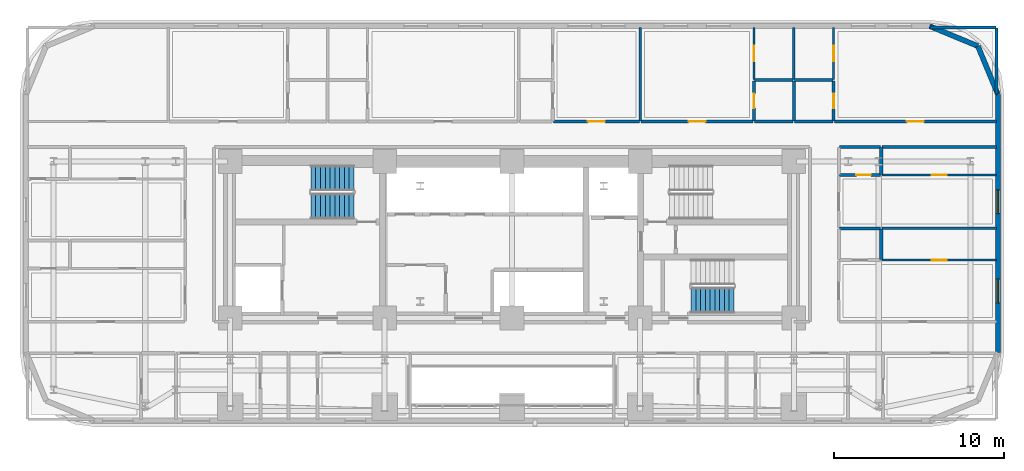
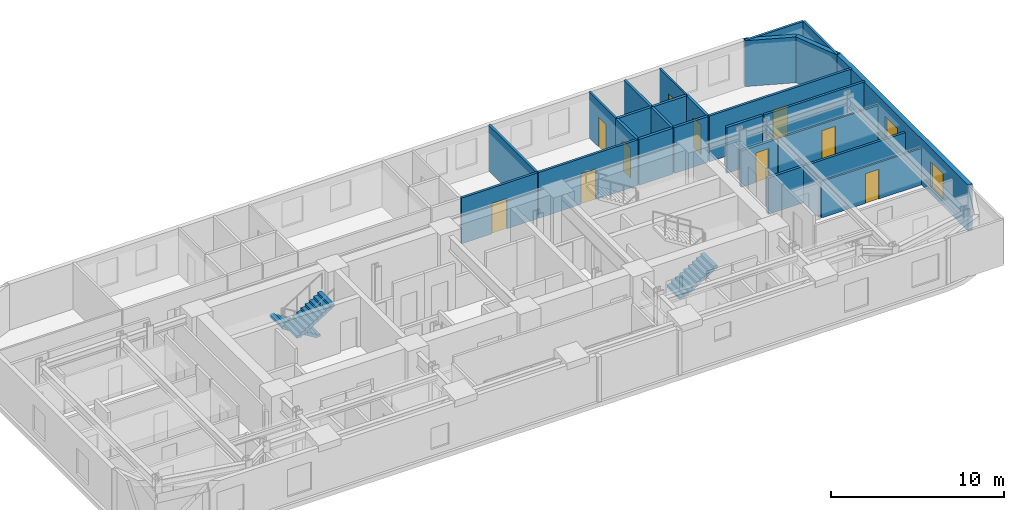
# One storey, part 11 of 16: 28 walls, 10 doors, 3 stair flights, 2 windows, 12 openings, 2 elements without a shape of their own.
"""IFC4 building model written with IfcOpenShell, lengths in metres."""

from ifc_helpers import new_model, si_unit, direction, frame, frame_2d, origin, place, context, subcontext, project, spatial, polyline, rectangle, outline, extrude, material, layer, layer_set, type_object, element, fill, aggregate, save


model = new_model("IFC4")

# Units and contexts
model_context = context("Model", 3, precision=1e-05, world=origin(), true_north=direction((0.0, 1.0)))
body_context = subcontext(model_context, "Body", "Model", "MODEL_VIEW")
ifc_project = project(units=[si_unit("LENGTHUNIT", "METRE"), si_unit("AREAUNIT", "SQUARE_METRE"), si_unit("VOLUMEUNIT", "CUBIC_METRE"), si_unit("PLANEANGLEUNIT", "RADIAN"), si_unit("MASSUNIT", "GRAM", prefix="KILO")], contexts=[model_context])

# Site, building, storey
site_placement = place(None, origin())
site = spatial("IfcSite", under=ifc_project, at=site_placement, CompositionType="ELEMENT")
building_placement = place(site_placement, origin())
building = spatial("IfcBuilding", under=site, at=building_placement, Name="Zarnavel Station Tower", CompositionType="ELEMENT")
storey_placement = place(building_placement, frame((0.0, 0.0, 39.5)))
storey = spatial("IfcBuildingStorey", under=building, at=storey_placement, Name="L10", CompositionType="ELEMENT", Elevation=39.5)

# Wall, openings, windows
ifc_material_1 = material(Name="Precast concrete C45/55 (Dark Basalt Finish)", Category="masonry")
ifc_layer_1 = layer(ifc_material_1, 0.300048828125)
ifc_layer_set_1 = layer_set([ifc_layer_1], Name="EW_BASALT_300")
wall_type_1 = type_object("IfcWallType", Name="EW_BASALT_300", PredefinedType="SOLIDWALL", material=ifc_layer_set_1)
wall_1_placement = place(storey_placement, frame((57.419921875, 41.0, 0.0), z_axis=(0.0, 0.0, 1.0), x_axis=(0.0, -1.0, 0.0)))
wall_1 = element("IfcWall", 1, at=wall_1_placement, inside=storey, type_object=wall_type_1, Name="L10 Exterior Basalt Masonry Frame Wall 03", PredefinedType="SOLIDWALL", context=body_context, shape_type="SweptSolid", body=[
    extrude(rectangle(XDim=15.199951171875, YDim=0.300048828125, at=frame_2d((7.60009765625, 0.0))), origin(), (0.0, 0.0, 1.0), 3.239990234375),
])
opening_1_placement = place(wall_1_placement, frame((10.882080078125, 0.0, 0.47998046875)))
opening_1 = element("IfcOpeningElement", 2, at=opening_1_placement, cuts=wall_1, Name="Opening WN01", PredefinedType="OPENING", context=body_context, shape_type="SweptSolid", body=[
    extrude(rectangle(XDim=1.39990234375, YDim=1.800048828125, at=frame_2d((0.699951171875, 0.89990234375))), frame((0.0, 0.159912109375, 0.0), z_axis=(0.0, -1.0, 0.0), x_axis=(1.0, 0.0, 0.0)), (0.0, 0.0, 1.0), 0.320068359375),
])
opening_2_placement = place(wall_1_placement, frame((5.62060546875, 0.0, 0.47998046875)))
opening_2 = element("IfcOpeningElement", 3, at=opening_2_placement, cuts=wall_1, Name="Opening WN01", PredefinedType="OPENING", context=body_context, shape_type="SweptSolid", body=[
    extrude(rectangle(XDim=1.39990234375, YDim=1.800048828125, at=frame_2d((0.699951171875, 0.89990234375))), frame((0.0, 0.159912109375, 0.0), z_axis=(0.0, -1.0, 0.0), x_axis=(1.0, 0.0, 0.0)), (0.0, 0.0, 1.0), 0.320068359375),
])
ifc_material_2 = material(Name="Thermally Broken Black Aluminium and Low-E Dark Glass", Category="aluminium")
window_type = type_object("IfcWindowType", Name="WN_1400x1800", PartitioningType="DOUBLE_PANEL_VERTICAL", PredefinedType="WINDOW", material=ifc_material_2)
window_1_placement = place(opening_1_placement, origin())
window_1 = element("IfcWindow", 4, at=window_1_placement, inside=storey, type_object=window_type, Name="L10 Recessed Facade Window 01", OverallHeight=1.800048828125, OverallWidth=1.39990234375, PartitioningType="SINGLE_PANEL", PredefinedType="WINDOW", context=body_context, shape_type="SweptSolid", body=[
    extrude(rectangle(XDim=1.39990234375, YDim=1.800048828125, at=frame_2d((0.699951171875, 0.89990234375))), frame((0.0, 0.030029296875, 0.0), z_axis=(0.0, -1.0, 0.0), x_axis=(1.0, 0.0, 0.0)), (0.0, 0.0, 1.0), 0.06005859375),
])
fill(opening_1, window_1)
window_2_placement = place(opening_2_placement, origin())
window_2 = element("IfcWindow", 5, at=window_2_placement, inside=storey, type_object=window_type, Name="L10 Recessed Facade Window 02", OverallHeight=1.800048828125, OverallWidth=1.39990234375, PartitioningType="SINGLE_PANEL", PredefinedType="WINDOW", context=body_context, shape_type="SweptSolid", body=[
    extrude(rectangle(XDim=1.39990234375, YDim=1.800048828125, at=frame_2d((0.699951171875, 0.89990234375))), frame((0.0, 0.030029296875, 0.0), z_axis=(0.0, -1.0, 0.0), x_axis=(1.0, 0.0, 0.0)), (0.0, 0.0, 1.0), 0.06005859375),
])
fill(opening_2, window_2)

# Walls
wall_2_placement = place(storey_placement, frame((56.24267578125, 43.842529296875, 0.0), z_axis=(0.0, 0.0, 1.0), x_axis=(0.382636798336, -0.92389884758, 0.0)))
element("IfcWall", 6, at=wall_2_placement, inside=storey, type_object=wall_type_1, Name="L10 Exterior Basalt Masonry Frame Wall 04", PredefinedType="SOLIDWALL", context=body_context, shape_type="SweptSolid", body=[
    extrude(rectangle(XDim=3.07666015625, YDim=0.300048828125, at=frame_2d((1.538330078125, 0.0))), origin(), (0.0, 0.0, 1.0), 3.239990234375),
])
wall_3_placement = place(storey_placement, frame((53.39990234375, 45.02001953125, 0.0), z_axis=(0.0, 0.0, 1.0), x_axis=(0.923882414032, -0.382676475685, 0.0)))
element("IfcWall", 7, at=wall_3_placement, inside=storey, type_object=wall_type_1, Name="L10 Exterior Basalt Masonry Frame Wall 05", PredefinedType="SOLIDWALL", context=body_context, shape_type="SweptSolid", body=[
    extrude(rectangle(XDim=3.076904296875, YDim=0.300048828125, at=frame_2d((1.53857421875, 0.0))), origin(), (0.0, 0.0, 1.0), 3.239990234375),
])
ifc_material_3 = material(Name="Gypsum Twin-Stud Acoustic Fire Partition", Category="concrete")
ifc_layer_2 = layer(ifc_material_3, 0.159912109375)
ifc_layer_set_2 = layer_set([ifc_layer_2], Name="PT_DEMISE_160")
wall_type_2 = type_object("IfcWallType", Name="PT_DEMISE_160", PredefinedType="PARTITIONING", material=ifc_layer_set_2)
wall_4_placement = place(storey_placement, frame((50.590087890625, 37.89990234375, 0.0), z_axis=(0.0, 0.0, 1.0), x_axis=(1.0, 0.0, 0.0)))
element("IfcWall", 8, at=wall_4_placement, inside=storey, type_object=wall_type_2, Name="L10 Partition COR-N-FNE2S", PredefinedType="PARTITIONING", context=body_context, shape_type="SweptSolid", body=[
    extrude(rectangle(XDim=6.75, YDim=0.159912109375, at=frame_2d((3.375, 0.0))), origin(), (0.0, 0.0, 1.0), 3.239990234375),
])

# Wall, opening, door
wall_5_placement = place(storey_placement, frame((31.240966796875, 39.39990234375, 0.0), z_axis=(0.0, 0.0, 1.0), x_axis=(1.0, 0.0, 0.0)))
wall_5 = element("IfcWall", 9, at=wall_5_placement, inside=storey, type_object=wall_type_2, Name="L10 Partition COR-N-HN3R", PredefinedType="PARTITIONING", context=body_context, shape_type="SweptSolid", body=[
    extrude(rectangle(XDim=5.069091796875, YDim=0.159912109375, at=frame_2d((2.53466796875, 0.0))), origin(), (0.0, 0.0, 1.0), 3.239990234375),
])
opening_3_placement = place(wall_5_placement, frame((2.034423828125, 0.0, 0.0)))
opening_3 = element("IfcOpeningElement", 10, at=opening_3_placement, cuts=wall_5, Name="Opening FD02", PredefinedType="OPENING", context=body_context, shape_type="SweptSolid", body=[
    extrude(rectangle(XDim=1.0, YDim=2.14990234375, at=frame_2d((0.5, 1.074951171875))), frame((0.0, 0.08984375, 0.0), z_axis=(0.0, -1.0, 0.0), x_axis=(1.0, 0.0, 0.0)), (0.0, 0.0, 1.0), 0.179931640625),
])
ifc_material_4 = material(Name="Painted Galvanised Steel and Hardwood Leaf", Category="steel")
door_type_1 = type_object("IfcDoorType", Name="ID_ENTRY_1000", OperationType="NOTDEFINED", PredefinedType="DOOR", material=ifc_material_4)
door_1_placement = place(opening_3_placement, origin())
door_1 = element("IfcDoor", 11, at=door_1_placement, inside=storey, type_object=door_type_1, Name="L10 Door COR-N-HN3R", OperationType="SINGLE_SWING_RIGHT", OverallHeight=2.14990234375, OverallWidth=1.0, PredefinedType="DOOR", context=body_context, shape_type="SweptSolid", body=[
    extrude(rectangle(XDim=1.0, YDim=2.14990234375, at=frame_2d((0.5, 1.074951171875))), frame((0.0, 0.02490234375, 0.0), z_axis=(0.0, -1.0, 0.0), x_axis=(1.0, 0.0, 0.0)), (0.0, 0.0, 1.0), 0.050048828125),
])
fill(opening_3, door_1)

wall_6_placement = place(storey_placement, frame((36.389892578125, 39.39990234375, 0.0), z_axis=(0.0, 0.0, 1.0), x_axis=(1.0, 0.0, 0.0)))
wall_6 = element("IfcWall", 12, at=wall_6_placement, inside=storey, type_object=wall_type_2, Name="L10 Partition COR-N-HN4R", PredefinedType="PARTITIONING", context=body_context, shape_type="SweptSolid", body=[
    extrude(rectangle(XDim=6.6201171875, YDim=0.159912109375, at=frame_2d((3.31005859375, 0.0))), origin(), (0.0, 0.0, 1.0), 3.239990234375),
])
opening_4_placement = place(wall_6_placement, frame((2.81005859375, 0.0, 0.0)))
opening_4 = element("IfcOpeningElement", 13, at=opening_4_placement, cuts=wall_6, Name="Opening FD02", PredefinedType="OPENING", context=body_context, shape_type="SweptSolid", body=[
    extrude(rectangle(XDim=1.0, YDim=2.14990234375, at=frame_2d((0.5, 1.074951171875))), frame((0.0, 0.08984375, 0.0), z_axis=(0.0, -1.0, 0.0), x_axis=(1.0, 0.0, 0.0)), (0.0, 0.0, 1.0), 0.179931640625),
])
door_2_placement = place(opening_4_placement, origin())
door_2 = element("IfcDoor", 14, at=door_2_placement, inside=storey, type_object=door_type_1, Name="L10 Door COR-N-HN4R", OperationType="SINGLE_SWING_LEFT", OverallHeight=2.14990234375, OverallWidth=1.0, PredefinedType="DOOR", context=body_context, shape_type="SweptSolid", body=[
    extrude(rectangle(XDim=1.0, YDim=2.14990234375, at=frame_2d((0.5, 1.074951171875))), frame((0.0, 0.02490234375, 0.0), z_axis=(0.0, -1.0, 0.0), x_axis=(1.0, 0.0, 0.0)), (0.0, 0.0, 1.0), 0.050048828125),
])
fill(opening_4, door_2)

wall_7_placement = place(storey_placement, frame((47.7900390625, 39.39990234375, 0.0), z_axis=(0.0, 0.0, 1.0), x_axis=(1.0, 0.0, 0.0)))
wall_7 = element("IfcWall", 15, at=wall_7_placement, inside=storey, type_object=wall_type_2, Name="L10 Partition COR-N-HN5R", PredefinedType="PARTITIONING", context=body_context, shape_type="SweptSolid", body=[
    extrude(rectangle(XDim=9.550048828125, YDim=0.159912109375, at=frame_2d((4.77490234375, 0.0))), origin(), (0.0, 0.0, 1.0), 3.239990234375),
])
opening_5_placement = place(wall_7_placement, frame((4.27490234375, 0.0, 0.0)))
opening_5 = element("IfcOpeningElement", 16, at=opening_5_placement, cuts=wall_7, Name="Opening FD02", PredefinedType="OPENING", context=body_context, shape_type="SweptSolid", body=[
    extrude(rectangle(XDim=1.0, YDim=2.14990234375, at=frame_2d((0.5, 1.074951171875))), frame((0.0, 0.08984375, 0.0), z_axis=(0.0, -1.0, 0.0), x_axis=(1.0, 0.0, 0.0)), (0.0, 0.0, 1.0), 0.179931640625),
])
door_3_placement = place(opening_5_placement, origin())
door_3 = element("IfcDoor", 17, at=door_3_placement, inside=storey, type_object=door_type_1, Name="L10 Door COR-N-HN5R", OperationType="SINGLE_SWING_RIGHT", OverallHeight=2.14990234375, OverallWidth=1.0, PredefinedType="DOOR", context=body_context, shape_type="SweptSolid", body=[
    extrude(rectangle(XDim=1.0, YDim=2.14990234375, at=frame_2d((0.5, 1.074951171875))), frame((0.0, 0.02490234375, 0.0), z_axis=(0.0, -1.0, 0.0), x_axis=(1.0, 0.0, 0.0)), (0.0, 0.0, 1.0), 0.050048828125),
])
fill(opening_5, door_3)

# Walls
wall_8_placement = place(storey_placement, frame((50.590087890625, 33.10888671875, 0.0), z_axis=(0.0, 0.0, 1.0), x_axis=(1.0, 0.0, 0.0)))
element("IfcWall", 18, at=wall_8_placement, inside=storey, type_object=wall_type_2, Name="L10 Partition FNE1S-FNE2R", PredefinedType="PARTITIONING", context=body_context, shape_type="SweptSolid", body=[
    extrude(rectangle(XDim=6.75, YDim=0.159912109375, at=frame_2d((3.375, 0.0))), origin(), (0.0, 0.0, 1.0), 2.570068359375),
])
wall_9_placement = place(storey_placement, frame((36.35009765625, 39.43994140625, 0.0), z_axis=(0.0, 0.0, 1.0), x_axis=(0.0, 1.0, 0.0)))
element("IfcWall", 19, at=wall_9_placement, inside=storey, type_object=wall_type_2, Name="L10 Partition HN3R-HN4R", PredefinedType="PARTITIONING", context=body_context, shape_type="SweptSolid", body=[
    extrude(rectangle(XDim=5.5, YDim=0.159912109375, at=frame_2d((2.75, 0.0))), origin(), (0.0, 0.0, 1.0), 3.239990234375),
])
wall_10_placement = place(storey_placement, frame((45.39990234375, 41.8779296875, 0.0), z_axis=(0.0, 0.0, 1.0), x_axis=(0.0, 1.0, 0.0)))
element("IfcWall", 20, at=wall_10_placement, inside=storey, type_object=wall_type_2, Name="L10 Partition HN4S-HN5S", PredefinedType="PARTITIONING", context=body_context, shape_type="SweptSolid", body=[
    extrude(rectangle(XDim=3.06201171875, YDim=0.159912109375, at=frame_2d((1.531005859375, 0.0))), origin(), (0.0, 0.0, 1.0), 3.239990234375),
])
wall_11_placement = place(storey_placement, frame((53.429931640625, 44.93994140625, 0.0), z_axis=(0.0, 0.0, 1.0), x_axis=(1.0, 0.0, 0.0)))
element("IfcWall", 21, at=wall_11_placement, inside=storey, type_object=wall_type_2, Name="L10 Enclosure Wall HN5R", PredefinedType="PARTITIONING", context=body_context, shape_type="SweptSolid", body=[
    extrude(rectangle(XDim=3.880126953125, YDim=0.159912109375, at=frame_2d((1.93994140625, 0.0))), origin(), (0.0, 0.0, 1.0), 3.239990234375),
])
wall_12_placement = place(storey_placement, frame((57.340087890625, 41.030029296875, 0.0), z_axis=(0.0, 0.0, 1.0), x_axis=(0.0, 1.0, 0.0)))
element("IfcWall", 22, at=wall_12_placement, inside=storey, type_object=wall_type_2, Name="L10 Enclosure Wall HN5R", PredefinedType="PARTITIONING", context=body_context, shape_type="SweptSolid", body=[
    extrude(rectangle(XDim=3.8798828125, YDim=0.159912109375, at=frame_2d((1.93994140625, 0.0))), origin(), (0.0, 0.0, 1.0), 3.239990234375),
])

# Wall, opening, door
ifc_material_5 = material(Name="Gypsum Metal-Stud Interior Partition", Category="concrete")
ifc_layer_3 = layer(ifc_material_5, 0.1201171875)
ifc_layer_set_3 = layer_set([ifc_layer_3], Name="PT_ROOM_120")
wall_type_3 = type_object("IfcWallType", Name="PT_ROOM_120", PredefinedType="PARTITIONING", material=ifc_layer_set_3)
wall_13_placement = place(storey_placement, frame((50.590087890625, 31.236083984375, 0.0), z_axis=(0.0, 0.0, 1.0), x_axis=(1.0, 0.0, 0.0)))
wall_13 = element("IfcWall", 23, at=wall_13_placement, inside=storey, type_object=wall_type_3, Name="L10 Partition FNE1R-FNE1S", PredefinedType="PARTITIONING", context=body_context, shape_type="SweptSolid", body=[
    extrude(rectangle(XDim=6.75, YDim=0.1201171875, at=frame_2d((3.375, 0.0))), origin(), (0.0, 0.0, 1.0), 2.570068359375),
])
opening_6_placement = place(wall_13_placement, frame((2.925048828125, 0.0, 0.0)))
opening_6 = element("IfcOpeningElement", 24, at=opening_6_placement, cuts=wall_13, Name="Opening ID01", PredefinedType="OPENING", context=body_context, shape_type="SweptSolid", body=[
    extrude(rectangle(XDim=0.89990234375, YDim=2.10009765625, at=frame_2d((0.449951171875, 1.050048828125))), frame((0.0, 0.070068359375, 0.0), z_axis=(0.0, -1.0, 0.0), x_axis=(1.0, 0.0, 0.0)), (0.0, 0.0, 1.0), 0.14013671875),
])
ifc_material_6 = material(Name="Painted Galvanised Steel and Hardwood Leaf", Category="steel")
door_type_2 = type_object("IfcDoorType", Name="ID_ROOM_900", OperationType="NOTDEFINED", PredefinedType="DOOR", material=ifc_material_6)
door_4_placement = place(opening_6_placement, origin())
door_4 = element("IfcDoor", 25, at=door_4_placement, inside=storey, type_object=door_type_2, Name="L10 Door FNE1R-FNE1S", OperationType="SINGLE_SWING_RIGHT", OverallHeight=2.10009765625, OverallWidth=0.89990234375, PredefinedType="DOOR", context=body_context, shape_type="SweptSolid", body=[
    extrude(rectangle(XDim=0.89990234375, YDim=2.10009765625, at=frame_2d((0.449951171875, 1.050048828125))), frame((0.0, 0.02490234375, 0.0), z_axis=(0.0, -1.0, 0.0), x_axis=(1.0, 0.0, 0.0)), (0.0, 0.0, 1.0), 0.050048828125),
])
fill(opening_6, door_4)

wall_14_placement = place(storey_placement, frame((50.590087890625, 36.25, 0.0), z_axis=(0.0, 0.0, 1.0), x_axis=(1.0, 0.0, 0.0)))
wall_14 = element("IfcWall", 26, at=wall_14_placement, inside=storey, type_object=wall_type_3, Name="L10 Partition FNE2R-FNE2S", PredefinedType="PARTITIONING", context=body_context, shape_type="SweptSolid", body=[
    extrude(rectangle(XDim=6.75, YDim=0.1201171875, at=frame_2d((3.375, 0.0))), origin(), (0.0, 0.0, 1.0), 2.570068359375),
])
opening_7_placement = place(wall_14_placement, frame((2.925048828125, 0.0, 0.0)))
opening_7 = element("IfcOpeningElement", 27, at=opening_7_placement, cuts=wall_14, Name="Opening ID01", PredefinedType="OPENING", context=body_context, shape_type="SweptSolid", body=[
    extrude(rectangle(XDim=0.89990234375, YDim=2.10009765625, at=frame_2d((0.449951171875, 1.050048828125))), frame((0.0, 0.070068359375, 0.0), z_axis=(0.0, -1.0, 0.0), x_axis=(1.0, 0.0, 0.0)), (0.0, 0.0, 1.0), 0.14013671875),
])
door_5_placement = place(opening_7_placement, origin())
door_5 = element("IfcDoor", 28, at=door_5_placement, inside=storey, type_object=door_type_2, Name="L10 Door FNE2R-FNE2S", OperationType="SINGLE_SWING_RIGHT", OverallHeight=2.10009765625, OverallWidth=0.89990234375, PredefinedType="DOOR", context=body_context, shape_type="SweptSolid", body=[
    extrude(rectangle(XDim=0.89990234375, YDim=2.10009765625, at=frame_2d((0.449951171875, 1.050048828125))), frame((0.0, 0.02490234375, 0.0), z_axis=(0.0, -1.0, 0.0), x_axis=(1.0, 0.0, 0.0)), (0.0, 0.0, 1.0), 0.050048828125),
])
fill(opening_7, door_5)

wall_15_placement = place(storey_placement, frame((43.050048828125, 41.8779296875, 0.0), z_axis=(0.0, 0.0, 1.0), x_axis=(0.0, 1.0, 0.0)))
wall_15 = element("IfcWall", 29, at=wall_15_placement, inside=storey, type_object=wall_type_3, Name="L10 Partition HN4R-HN4S", PredefinedType="PARTITIONING", context=body_context, shape_type="SweptSolid", body=[
    extrude(rectangle(XDim=3.06201171875, YDim=0.1201171875, at=frame_2d((1.531005859375, 0.0))), origin(), (0.0, 0.0, 1.0), 3.239990234375),
])
opening_8_placement = place(wall_15_placement, frame((1.0810546875, 0.0, 0.0)))
opening_8 = element("IfcOpeningElement", 30, at=opening_8_placement, cuts=wall_15, Name="Opening ID01", PredefinedType="OPENING", context=body_context, shape_type="SweptSolid", body=[
    extrude(rectangle(XDim=0.89990234375, YDim=2.10009765625, at=frame_2d((0.449951171875, 1.050048828125))), frame((0.0, 0.070068359375, 0.0), z_axis=(0.0, -1.0, 0.0), x_axis=(1.0, 0.0, 0.0)), (0.0, 0.0, 1.0), 0.14013671875),
])
door_6_placement = place(opening_8_placement, origin())
door_6 = element("IfcDoor", 31, at=door_6_placement, inside=storey, type_object=door_type_2, Name="L10 Door HN4R-HN4S", OperationType="SINGLE_SWING_RIGHT", OverallHeight=2.10009765625, OverallWidth=0.89990234375, PredefinedType="DOOR", context=body_context, shape_type="SweptSolid", body=[
    extrude(rectangle(XDim=0.89990234375, YDim=2.10009765625, at=frame_2d((0.449951171875, 1.050048828125))), frame((0.0, 0.02490234375, 0.0), z_axis=(0.0, -1.0, 0.0), x_axis=(1.0, 0.0, 0.0)), (0.0, 0.0, 1.0), 0.050048828125),
])
fill(opening_8, door_6)

wall_16_placement = place(storey_placement, frame((47.75, 41.8779296875, 0.0), z_axis=(0.0, 0.0, 1.0), x_axis=(0.0, 1.0, 0.0)))
wall_16 = element("IfcWall", 32, at=wall_16_placement, inside=storey, type_object=wall_type_3, Name="L10 Partition HN5R-HN5S", PredefinedType="PARTITIONING", context=body_context, shape_type="SweptSolid", body=[
    extrude(rectangle(XDim=3.06201171875, YDim=0.1201171875, at=frame_2d((1.531005859375, 0.0))), origin(), (0.0, 0.0, 1.0), 3.239990234375),
])
opening_9_placement = place(wall_16_placement, frame((1.0810546875, 0.0, 0.0)))
opening_9 = element("IfcOpeningElement", 33, at=opening_9_placement, cuts=wall_16, Name="Opening ID01", PredefinedType="OPENING", context=body_context, shape_type="SweptSolid", body=[
    extrude(rectangle(XDim=0.89990234375, YDim=2.10009765625, at=frame_2d((0.449951171875, 1.050048828125))), frame((0.0, 0.070068359375, 0.0), z_axis=(0.0, -1.0, 0.0), x_axis=(1.0, 0.0, 0.0)), (0.0, 0.0, 1.0), 0.14013671875),
])
door_7_placement = place(opening_9_placement, origin())
door_7 = element("IfcDoor", 34, at=door_7_placement, inside=storey, type_object=door_type_2, Name="L10 Door HN5R-HN5S", OperationType="SINGLE_SWING_RIGHT", OverallHeight=2.10009765625, OverallWidth=0.89990234375, PredefinedType="DOOR", context=body_context, shape_type="SweptSolid", body=[
    extrude(rectangle(XDim=0.89990234375, YDim=2.10009765625, at=frame_2d((0.449951171875, 1.050048828125))), frame((0.0, 0.02490234375, 0.0), z_axis=(0.0, -1.0, 0.0), x_axis=(1.0, 0.0, 0.0)), (0.0, 0.0, 1.0), 0.050048828125),
])
fill(opening_9, door_7)

# Walls
ifc_material_7 = material(Name="Moisture-Resistant Plumbing Chase Wall", Category="concrete")
ifc_layer_4 = layer(ifc_material_7, 0.179931640625)
ifc_layer_set_4 = layer_set([ifc_layer_4], Name="PW_PLUMB_180")
wall_type_4 = type_object("IfcWallType", Name="PW_PLUMB_180", PredefinedType="PLUMBINGWALL", material=ifc_layer_set_4)
wall_17_placement = place(storey_placement, frame((48.090087890625, 37.89990234375, 0.0), z_axis=(0.0, 0.0, 1.0), x_axis=(1.0, 0.0, 0.0)))
element("IfcWall", 35, at=wall_17_placement, inside=storey, type_object=wall_type_4, Name="L10 Partition COR-N-FNE2B", PredefinedType="PLUMBINGWALL", context=body_context, shape_type="SweptSolid", body=[
    extrude(rectangle(XDim=2.419921875, YDim=0.179931640625, at=frame_2d((1.2099609375, 0.0))), origin(), (0.0, 0.0, 1.0), 3.239990234375),
])
for number, where, z_axis, x_axis, name in (
    (36, (43.090087890625, 39.39990234375, 0.0), (0.0, 0.0, 1.0), (1.0, 0.0, 0.0), "L10 Partition COR-N-HN4B"),
    (37, (45.43994140625, 39.39990234375, 0.0), (0.0, 0.0, 1.0), (1.0, 0.0, 0.0), "L10 Partition COR-N-HN5B"),
):
    element("IfcWall", number, at=place(storey_placement, frame(where, z_axis=z_axis, x_axis=x_axis)), inside=storey, type_object=wall_type_4, Name=name, PredefinedType="PLUMBINGWALL", context=body_context, shape_type="SweptSolid", body=[
        extrude(rectangle(XDim=2.27001953125, YDim=0.179931640625, at=frame_2d((1.135009765625, 0.0))), origin(), (0.0, 0.0, 1.0), 3.239990234375),
    ])
wall_18_placement = place(storey_placement, frame((50.550048828125, 31.27587890625, 0.0), z_axis=(0.0, 0.0, 1.0), x_axis=(0.0, 1.0, 0.0)))
element("IfcWall", 38, at=wall_18_placement, inside=storey, type_object=wall_type_4, Name="L10 Partition FNE1B-FNE1S", PredefinedType="PLUMBINGWALL", context=body_context, shape_type="SweptSolid", body=[
    extrude(rectangle(XDim=1.793212890625, YDim=0.179931640625, at=frame_2d((0.896484375, 0.0))), origin(), (0.0, 0.0, 1.0), 2.570068359375),
])
wall_19_placement = place(storey_placement, frame((48.090087890625, 33.10888671875, 0.0), z_axis=(0.0, 0.0, 1.0), x_axis=(1.0, 0.0, 0.0)))
element("IfcWall", 39, at=wall_19_placement, inside=storey, type_object=wall_type_4, Name="L10 Partition FNE1B-FNE2R", PredefinedType="PLUMBINGWALL", context=body_context, shape_type="SweptSolid", body=[
    extrude(rectangle(XDim=2.419921875, YDim=0.179931640625, at=frame_2d((1.2099609375, 0.0))), origin(), (0.0, 0.0, 1.0), 2.570068359375),
])

# Wall, opening, door
wall_20_placement = place(storey_placement, frame((50.510009765625, 36.25, 0.0), z_axis=(0.0, 0.0, 1.0), x_axis=(-1.0, 0.0, 0.0)))
wall_20 = element("IfcWall", 40, at=wall_20_placement, inside=storey, type_object=wall_type_4, Name="L10 Partition FNE2R-FNE2B", PredefinedType="PLUMBINGWALL", context=body_context, shape_type="SweptSolid", body=[
    extrude(rectangle(XDim=2.419921875, YDim=0.179931640625, at=frame_2d((1.2099609375, 0.0))), origin(), (0.0, 0.0, 1.0), 2.570068359375),
])
opening_10_placement = place(wall_20_placement, frame((0.570068359375, 0.0, 0.0)))
opening_10 = element("IfcOpeningElement", 41, at=opening_10_placement, cuts=wall_20, Name="Opening ID02", PredefinedType="OPENING", context=body_context, shape_type="SweptSolid", body=[
    extrude(rectangle(XDim=0.85009765625, YDim=2.10009765625, at=frame_2d((0.425048828125, 1.050048828125))), frame((0.0, 0.099853515625, 0.0), z_axis=(0.0, -1.0, 0.0), x_axis=(1.0, 0.0, 0.0)), (0.0, 0.0, 1.0), 0.199951171875),
])
ifc_material_8 = material(Name="Painted Galvanised Steel and Hardwood Leaf", Category="steel")
door_type_3 = type_object("IfcDoorType", Name="ID_BATH_850", OperationType="NOTDEFINED", PredefinedType="DOOR", material=ifc_material_8)
door_8_placement = place(opening_10_placement, origin())
door_8 = element("IfcDoor", 42, at=door_8_placement, inside=storey, type_object=door_type_3, Name="L10 Door FNE2R-FNE2B", OperationType="SINGLE_SWING_LEFT", OverallHeight=2.10009765625, OverallWidth=0.85009765625, PredefinedType="DOOR", context=body_context, shape_type="SweptSolid", body=[
    extrude(rectangle(XDim=0.85009765625, YDim=2.10009765625, at=frame_2d((0.425048828125, 1.050048828125))), frame((0.0, 0.02490234375, 0.0), z_axis=(0.0, -1.0, 0.0), x_axis=(1.0, 0.0, 0.0)), (0.0, 0.0, 1.0), 0.050048828125),
])
fill(opening_10, door_8)

# Wall
wall_21_placement = place(storey_placement, frame((50.550048828125, 36.2900390625, 0.0), z_axis=(0.0, 0.0, 1.0), x_axis=(0.0, 1.0, 0.0)))
element("IfcWall", 43, at=wall_21_placement, inside=storey, type_object=wall_type_4, Name="L10 Partition FNE2B-FNE2S", PredefinedType="PLUMBINGWALL", context=body_context, shape_type="SweptSolid", body=[
    extrude(rectangle(XDim=1.570068359375, YDim=0.179931640625, at=frame_2d((0.78515625, 0.0))), origin(), (0.0, 0.0, 1.0), 2.570068359375),
])

# Wall, opening, door
wall_22_placement = place(storey_placement, frame((43.050048828125, 39.43994140625, 0.0), z_axis=(0.0, 0.0, 1.0), x_axis=(0.0, 1.0, 0.0)))
wall_22 = element("IfcWall", 44, at=wall_22_placement, inside=storey, type_object=wall_type_4, Name="L10 Partition HN4R-HN4B", PredefinedType="PLUMBINGWALL", context=body_context, shape_type="SweptSolid", body=[
    extrude(rectangle(XDim=2.358154296875, YDim=0.179931640625, at=frame_2d((1.17919921875, 0.0))), origin(), (0.0, 0.0, 1.0), 3.239990234375),
])
opening_11_placement = place(wall_22_placement, frame((0.75390625, 0.0, 0.0)))
opening_11 = element("IfcOpeningElement", 45, at=opening_11_placement, cuts=wall_22, Name="Opening ID02", PredefinedType="OPENING", context=body_context, shape_type="SweptSolid", body=[
    extrude(rectangle(XDim=0.85009765625, YDim=2.10009765625, at=frame_2d((0.425048828125, 1.050048828125))), frame((0.0, 0.099853515625, 0.0), z_axis=(0.0, -1.0, 0.0), x_axis=(1.0, 0.0, 0.0)), (0.0, 0.0, 1.0), 0.199951171875),
])
door_9_placement = place(opening_11_placement, origin())
door_9 = element("IfcDoor", 46, at=door_9_placement, inside=storey, type_object=door_type_3, Name="L10 Door HN4R-HN4B", OperationType="SINGLE_SWING_LEFT", OverallHeight=2.10009765625, OverallWidth=0.85009765625, PredefinedType="DOOR", context=body_context, shape_type="SweptSolid", body=[
    extrude(rectangle(XDim=0.85009765625, YDim=2.10009765625, at=frame_2d((0.425048828125, 1.050048828125))), frame((0.0, 0.02490234375, 0.0), z_axis=(0.0, -1.0, 0.0), x_axis=(1.0, 0.0, 0.0)), (0.0, 0.0, 1.0), 0.050048828125),
])
fill(opening_11, door_9)

# Walls
wall_23_placement = place(storey_placement, frame((43.090087890625, 41.837890625, 0.0), z_axis=(0.0, 0.0, 1.0), x_axis=(1.0, 0.0, 0.0)))
element("IfcWall", 47, at=wall_23_placement, inside=storey, type_object=wall_type_4, Name="L10 Partition HN4B-HN4S", PredefinedType="PLUMBINGWALL", context=body_context, shape_type="SweptSolid", body=[
    extrude(rectangle(XDim=2.27001953125, YDim=0.179931640625, at=frame_2d((1.135009765625, 0.0))), origin(), (0.0, 0.0, 1.0), 3.239990234375),
])
wall_24_placement = place(storey_placement, frame((45.39990234375, 39.43994140625, 0.0), z_axis=(0.0, 0.0, 1.0), x_axis=(0.0, 1.0, 0.0)))
element("IfcWall", 48, at=wall_24_placement, inside=storey, type_object=wall_type_4, Name="L10 Partition HN4B-HN5B", PredefinedType="PLUMBINGWALL", context=body_context, shape_type="SweptSolid", body=[
    extrude(rectangle(XDim=2.358154296875, YDim=0.179931640625, at=frame_2d((1.17919921875, 0.0))), origin(), (0.0, 0.0, 1.0), 3.239990234375),
])

# Wall, opening, door
wall_25_placement = place(storey_placement, frame((47.75, 39.43994140625, 0.0), z_axis=(0.0, 0.0, 1.0), x_axis=(0.0, 1.0, 0.0)))
wall_25 = element("IfcWall", 49, at=wall_25_placement, inside=storey, type_object=wall_type_4, Name="L10 Partition HN5R-HN5B", PredefinedType="PLUMBINGWALL", context=body_context, shape_type="SweptSolid", body=[
    extrude(rectangle(XDim=2.358154296875, YDim=0.179931640625, at=frame_2d((1.17919921875, 0.0))), origin(), (0.0, 0.0, 1.0), 3.239990234375),
])
opening_12_placement = place(wall_25_placement, frame((0.75390625, 0.0, 0.0)))
opening_12 = element("IfcOpeningElement", 50, at=opening_12_placement, cuts=wall_25, Name="Opening ID02", PredefinedType="OPENING", context=body_context, shape_type="SweptSolid", body=[
    extrude(rectangle(XDim=0.85009765625, YDim=2.10009765625, at=frame_2d((0.425048828125, 1.050048828125))), frame((0.0, 0.099853515625, 0.0), z_axis=(0.0, -1.0, 0.0), x_axis=(1.0, 0.0, 0.0)), (0.0, 0.0, 1.0), 0.199951171875),
])
door_10_placement = place(opening_12_placement, origin())
door_10 = element("IfcDoor", 51, at=door_10_placement, inside=storey, type_object=door_type_3, Name="L10 Door HN5R-HN5B", OperationType="SINGLE_SWING_LEFT", OverallHeight=2.10009765625, OverallWidth=0.85009765625, PredefinedType="DOOR", context=body_context, shape_type="SweptSolid", body=[
    extrude(rectangle(XDim=0.85009765625, YDim=2.10009765625, at=frame_2d((0.425048828125, 1.050048828125))), frame((0.0, 0.02490234375, 0.0), z_axis=(0.0, -1.0, 0.0), x_axis=(1.0, 0.0, 0.0)), (0.0, 0.0, 1.0), 0.050048828125),
])
fill(opening_12, door_10)

# Wall
wall_26_placement = place(storey_placement, frame((45.43994140625, 41.837890625, 0.0), z_axis=(0.0, 0.0, 1.0), x_axis=(1.0, 0.0, 0.0)))
element("IfcWall", 52, at=wall_26_placement, inside=storey, type_object=wall_type_4, Name="L10 Partition HN5B-HN5S", PredefinedType="PLUMBINGWALL", context=body_context, shape_type="SweptSolid", body=[
    extrude(rectangle(XDim=2.27001953125, YDim=0.179931640625, at=frame_2d((1.135009765625, 0.0))), origin(), (0.0, 0.0, 1.0), 3.239990234375),
])

# Stair, stair flights
ifc_material_9 = material(Name="Concrete C45/55", Category="concrete")
stair_type = type_object("IfcStairType", Name="ST_CORE_150", PredefinedType="HALF_TURN_STAIR", material=ifc_material_9)
stair_1_placement = place(storey_placement, origin())
stair_1 = element("IfcStair", 53, at=stair_1_placement, inside=storey, type_object=stair_type, Name="L10 Core Exit Stair ST1", PredefinedType="HALF_TURN_STAIR")
ifc_material_10 = material(Name="Concrete C45/55", Category="concrete")
ifc_layer_5 = layer(ifc_material_10, 0.179931640625)
ifc_layer_set_5 = layer_set([ifc_layer_5], Name="ST_CORE_150_FLT")
stair_flight_type = type_object("IfcStairFlightType", Name="ST_CORE_150_FLT", PredefinedType="STRAIGHT", material=ifc_layer_set_5)
stair_flight_1_placement = place(storey_placement, frame((19.47998046875, 36.070068359375, 0.0), z_axis=(0.0, 0.0, 1.0), x_axis=(-1.0, 0.0, 0.0)))
stair_flight_1 = element("IfcStairFlight", 54, at=stair_flight_1_placement, type_object=stair_flight_type, Name="ST1 flight 1", NumberOfRisers=10, NumberOfTreads=9, PredefinedType="STRAIGHT", RiserHeight=0.175, TreadLength=0.28, context=body_context, shape_type="SweptSolid", body=[
    extrude(outline(polyline([(0.0, 0.0), (0.0, 0.175048828125), (0.280029296875, 0.175048828125), (0.280029296875, 0.35009765625), (0.56005859375, 0.35009765625), (0.56005859375, 0.52490234375), (0.840087890625, 0.52490234375), (0.840087890625, 0.699951171875), (1.1201171875, 0.699951171875), (1.1201171875, 0.875), (1.39990234375, 0.875), (1.39990234375, 1.050048828125), (1.679931640625, 1.050048828125), (1.679931640625, 1.22509765625), (1.9599609375, 1.22509765625), (1.9599609375, 1.39990234375), (2.239990234375, 1.39990234375), (2.239990234375, 1.574951171875), (2.52001953125, 1.574951171875), (2.52001953125, 1.75), (2.52001953125, 1.398193359375), (0.28271484375, 0.0), (0.0, 0.0)])), frame((0.0, 0.75, 0.0), z_axis=(0.0, -1.0, 0.0), x_axis=(1.0, 0.0, 0.0)), (0.0, 0.0, 1.0), 1.5),
])
stair_flight_2_placement = place(storey_placement, frame((16.9599609375, 34.409912109375, 1.75), z_axis=(0.0, 0.0, 1.0), x_axis=(1.0, 0.0, 0.0)))
stair_flight_2 = element("IfcStairFlight", 55, at=stair_flight_2_placement, type_object=stair_flight_type, Name="ST1 flight 2", NumberOfRisers=10, NumberOfTreads=9, PredefinedType="STRAIGHT", RiserHeight=0.175, TreadLength=0.28, context=body_context, shape_type="SweptSolid", body=[
    extrude(outline(polyline([(0.0, 0.0), (0.0, 0.175048828125), (0.280029296875, 0.175048828125), (0.280029296875, 0.35009765625), (0.56005859375, 0.35009765625), (0.56005859375, 0.52490234375), (0.840087890625, 0.52490234375), (0.840087890625, 0.699951171875), (1.1201171875, 0.699951171875), (1.1201171875, 0.875), (1.39990234375, 0.875), (1.39990234375, 1.050048828125), (1.679931640625, 1.050048828125), (1.679931640625, 1.22509765625), (1.9599609375, 1.22509765625), (1.9599609375, 1.39990234375), (2.239990234375, 1.39990234375), (2.239990234375, 1.574951171875), (2.52001953125, 1.574951171875), (2.52001953125, 1.75), (2.52001953125, 1.398193359375), (0.28271484375, 0.0), (0.0, 0.0)])), frame((0.0, 0.75, 0.0), z_axis=(0.0, -1.0, 0.0), x_axis=(1.0, 0.0, 0.0)), (0.0, 0.0, 1.0), 1.5),
])
aggregate(stair_1, [stair_flight_1, stair_flight_2])

# Stair, stair flight
stair_2_placement = place(storey_placement, origin())
stair_2 = element("IfcStair", 56, at=stair_2_placement, inside=storey, type_object=stair_type, Name="L10 Core Exit Stair ST3", PredefinedType="HALF_TURN_STAIR")
stair_flight_3_placement = place(storey_placement, frame((39.35009765625, 28.8701171875, 0.0), z_axis=(0.0, 0.0, 1.0), x_axis=(1.0, 0.0, 0.0)))
stair_flight_3 = element("IfcStairFlight", 57, at=stair_flight_3_placement, type_object=stair_flight_type, Name="ST3 flight 1", NumberOfRisers=10, NumberOfTreads=9, PredefinedType="STRAIGHT", RiserHeight=0.175, TreadLength=0.28, context=body_context, shape_type="SweptSolid", body=[
    extrude(outline(polyline([(0.0, 0.0), (0.0, 0.175048828125), (0.280029296875, 0.175048828125), (0.280029296875, 0.35009765625), (0.56005859375, 0.35009765625), (0.56005859375, 0.52490234375), (0.840087890625, 0.52490234375), (0.840087890625, 0.699951171875), (1.1201171875, 0.699951171875), (1.1201171875, 0.875), (1.39990234375, 0.875), (1.39990234375, 1.050048828125), (1.679931640625, 1.050048828125), (1.679931640625, 1.22509765625), (1.9599609375, 1.22509765625), (1.9599609375, 1.39990234375), (2.239990234375, 1.39990234375), (2.239990234375, 1.574951171875), (2.52001953125, 1.574951171875), (2.52001953125, 1.75), (2.52001953125, 1.398193359375), (0.28271484375, 0.0), (0.0, 0.0)])), frame((0.0, 0.75, 0.0), z_axis=(0.0, -1.0, 0.0), x_axis=(1.0, 0.0, 0.0)), (0.0, 0.0, 1.0), 1.5),
])
aggregate(stair_2, [stair_flight_3])

save(model, "model.ifc")
